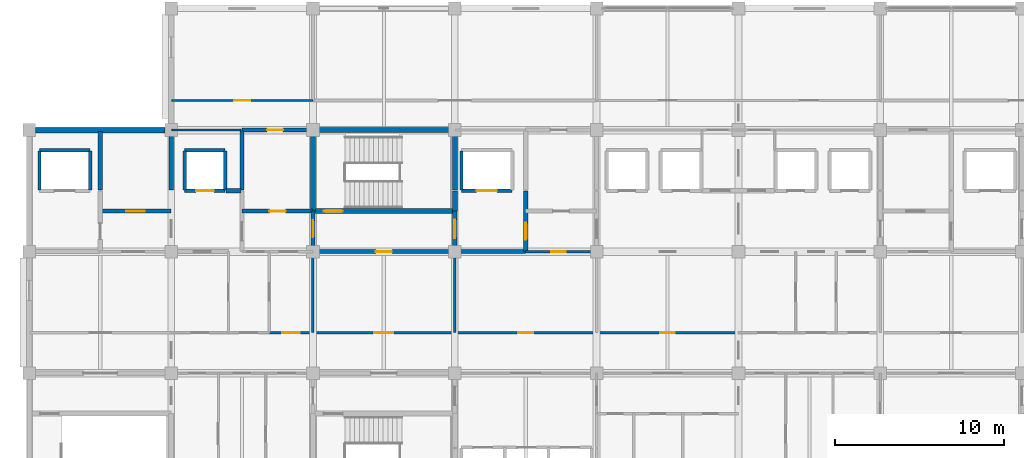
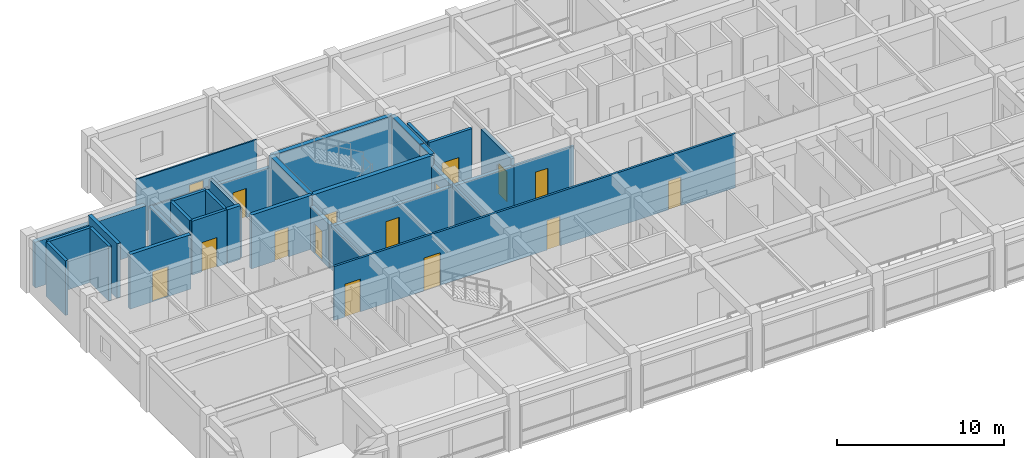
# One storey, part 13 of 23: 32 walls, 16 doors, 16 openings.
"""IFC4 building model written with IfcOpenShell, lengths in metres."""

from ifc_helpers import new_model, si_unit, direction, frame, frame_2d, origin, place, context, subcontext, project, spatial, rectangle, extrude, material, layer, layer_set, type_object, element, fill, save


model = new_model("IFC4")

# Units and contexts
model_context = context("Model", 3, precision=1e-05, world=origin(), true_north=direction((0.0, 1.0)))
body_context = subcontext(model_context, "Body", "Model", "MODEL_VIEW")
ifc_project = project(units=[si_unit("LENGTHUNIT", "METRE"), si_unit("AREAUNIT", "SQUARE_METRE"), si_unit("VOLUMEUNIT", "CUBIC_METRE"), si_unit("PLANEANGLEUNIT", "RADIAN"), si_unit("MASSUNIT", "GRAM", prefix="KILO")], contexts=[model_context])

# Site, building, storey
site_placement = place(None, origin())
site = spatial("IfcSite", under=ifc_project, at=site_placement, CompositionType="ELEMENT")
building_placement = place(site_placement, origin())
building = spatial("IfcBuilding", under=site, at=building_placement, Name="Chengyuan Square Courthouse", CompositionType="ELEMENT")
storey_placement = place(building_placement, frame((0.0, 0.0, 43.5)))
storey = spatial("IfcBuildingStorey", under=building, at=storey_placement, Name="L10", CompositionType="ELEMENT", Elevation=43.5)

# Wall
ifc_material_1 = material(Name="Concrete C40", Category="concrete")
ifc_layer_1 = layer(ifc_material_1, 0.320068359375)
ifc_layer_set_1 = layer_set([ifc_layer_1], Name="Concrete C40")
wall_type_1 = type_object("IfcWallType", Name="WL-EW3", PredefinedType="STANDARD", material=ifc_layer_set_1)
wall_1_placement = place(storey_placement, frame((42.3701171875, 108.0, 0.0), z_axis=(0.0, 0.0, 1.0), x_axis=(1.0, 0.0, 0.0)))
element("IfcWall", 1, at=wall_1_placement, inside=storey, type_object=wall_type_1, Name="Exterior Wall WL-L10-E432", PredefinedType="STANDARD", context=body_context, shape_type="SweptSolid", body=[
    extrude(rectangle(XDim=7.659912109375, YDim=0.320068359375, at=frame_2d((3.830078125, 0.0))), origin(), (0.0, 0.0, 1.0), 3.35009765625),
])

# Wall, opening, door
ifc_layer_2 = layer(ifc_material_1, 0.25)
ifc_layer_set_2 = layer_set([ifc_layer_2], Name="Concrete C40")
wall_type_2 = type_object("IfcWallType", Name="WL-FW1", PredefinedType="STANDARD", material=ifc_layer_set_2)
wall_2_placement = place(storey_placement, frame((58.800048828125, 100.800048828125, 0.0), z_axis=(0.0, 0.0, 1.0), x_axis=(1.0, 0.0, 0.0)))
wall_2 = element("IfcWall", 2, at=wall_2_placement, inside=storey, type_object=wall_type_2, Name="Interior Wall WL-L10-I3342", PredefinedType="STANDARD", context=body_context, shape_type="SweptSolid", body=[
    extrude(rectangle(XDim=12.599853515625, YDim=0.25, at=frame_2d((6.2998046875, 0.0))), origin(), (0.0, 0.0, 1.0), 3.10009765625),
])
opening_1_placement = place(wall_2_placement, frame((3.72509765625, 0.0, 0.0)))
opening_1 = element("IfcOpeningElement", 3, at=opening_1_placement, cuts=wall_2, Name="Opening DR-2779", PredefinedType="OPENING", context=body_context, shape_type="SweptSolid", body=[
    extrude(rectangle(XDim=0.949951171875, YDim=2.14990234375, at=frame_2d((0.47509765625, 1.074951171875))), frame((0.0, 0.136962890625, 0.0), z_axis=(0.0, -1.0, 0.0), x_axis=(1.0, 0.0, 0.0)), (0.0, 0.0, 1.0), 0.27392578125),
])
ifc_material_2 = material(Name="Steel Q235B Fire Door", Category="steel")
door_type_1 = type_object("IfcDoorType", Name="DT-12", OperationType="NOTDEFINED", PredefinedType="DOOR", material=ifc_material_2)
door_1_placement = place(opening_1_placement, origin())
door_1 = element("IfcDoor", 4, at=door_1_placement, inside=storey, type_object=door_type_1, Name="Interior Door DR-2779", OperationType="SINGLE_SWING_LEFT", OverallHeight=2.14990234375, OverallWidth=0.949951171875, PredefinedType="DOOR", context=body_context, shape_type="SweptSolid", body=[
    extrude(rectangle(XDim=0.949951171875, YDim=2.14990234375, at=frame_2d((0.47509765625, 1.074951171875))), frame((0.0, 0.02490234375, 0.0), z_axis=(0.0, -1.0, 0.0), x_axis=(1.0, 0.0, 0.0)), (0.0, 0.0, 1.0), 0.050048828125),
])
fill(opening_1, door_1)

wall_3_placement = place(storey_placement, frame((46.199951171875, 103.199951171875, 0.0), z_axis=(0.0, 0.0, 1.0), x_axis=(1.0, 0.0, 0.0)))
wall_3 = element("IfcWall", 5, at=wall_3_placement, inside=storey, type_object=wall_type_2, Name="Interior Wall WL-L10-I3351", PredefinedType="STANDARD", context=body_context, shape_type="SweptSolid", body=[
    extrude(rectangle(XDim=4.199951171875, YDim=0.25, at=frame_2d((2.10009765625, 0.0))), origin(), (0.0, 0.0, 1.0), 4.0),
])
opening_2_placement = place(wall_3_placement, frame((1.550048828125, 0.0, 0.0)))
opening_2 = element("IfcOpeningElement", 6, at=opening_2_placement, cuts=wall_3, Name="Opening DR-2804", PredefinedType="OPENING", context=body_context, shape_type="SweptSolid", body=[
    extrude(rectangle(XDim=1.10009765625, YDim=2.199951171875, at=frame_2d((0.550048828125, 1.10009765625))), frame((0.0, 0.136962890625, 0.0), z_axis=(0.0, -1.0, 0.0), x_axis=(1.0, 0.0, 0.0)), (0.0, 0.0, 1.0), 0.27392578125),
])
door_type_2 = type_object("IfcDoorType", Name="DT-10", OperationType="NOTDEFINED", PredefinedType="DOOR", material=ifc_material_2)
door_2_placement = place(opening_2_placement, origin())
door_2 = element("IfcDoor", 7, at=door_2_placement, inside=storey, type_object=door_type_2, Name="Interior Door DR-2804", OperationType="SINGLE_SWING_RIGHT", OverallHeight=2.199951171875, OverallWidth=1.10009765625, PredefinedType="DOOR", context=body_context, shape_type="SweptSolid", body=[
    extrude(rectangle(XDim=1.10009765625, YDim=2.199951171875, at=frame_2d((0.550048828125, 1.10009765625))), frame((0.0, 0.02490234375, 0.0), z_axis=(0.0, -1.0, 0.0), x_axis=(1.0, 0.0, 0.0)), (0.0, 0.0, 1.0), 0.050048828125),
])
fill(opening_2, door_2)

wall_4_placement = place(storey_placement, frame((54.60009765625, 103.199951171875, 0.0), z_axis=(0.0, 0.0, 1.0), x_axis=(1.0, 0.0, 0.0)))
wall_4 = element("IfcWall", 8, at=wall_4_placement, inside=storey, type_object=wall_type_2, Name="Interior Wall WL-L10-I3352", PredefinedType="STANDARD", context=body_context, shape_type="SweptSolid", body=[
    extrude(rectangle(XDim=4.199951171875, YDim=0.25, at=frame_2d((2.10009765625, 0.0))), origin(), (0.0, 0.0, 1.0), 3.949951171875),
])
opening_3_placement = place(wall_4_placement, frame((1.625, 0.0, 0.0)))
opening_3 = element("IfcOpeningElement", 9, at=opening_3_placement, cuts=wall_4, Name="Opening DR-2824", PredefinedType="OPENING", context=body_context, shape_type="SweptSolid", body=[
    extrude(rectangle(XDim=0.949951171875, YDim=2.14990234375, at=frame_2d((0.47509765625, 1.074951171875))), frame((0.0, 0.136962890625, 0.0), z_axis=(0.0, -1.0, 0.0), x_axis=(1.0, 0.0, 0.0)), (0.0, 0.0, 1.0), 0.27392578125),
])
door_3_placement = place(opening_3_placement, origin())
door_3 = element("IfcDoor", 10, at=door_3_placement, inside=storey, type_object=door_type_1, Name="Interior Door DR-2824", OperationType="SINGLE_SWING_LEFT", OverallHeight=2.14990234375, OverallWidth=0.949951171875, PredefinedType="DOOR", context=body_context, shape_type="SweptSolid", body=[
    extrude(rectangle(XDim=0.949951171875, YDim=2.14990234375, at=frame_2d((0.47509765625, 1.074951171875))), frame((0.0, 0.02490234375, 0.0), z_axis=(0.0, -1.0, 0.0), x_axis=(1.0, 0.0, 0.0)), (0.0, 0.0, 1.0), 0.050048828125),
])
fill(opening_3, door_3)

# Wall
wall_5_placement = place(storey_placement, frame((53.64990234375, 104.39990234375, 0.0), z_axis=(0.0, 0.0, 1.0), x_axis=(1.0, 0.0, 0.0)))
element("IfcWall", 11, at=wall_5_placement, inside=storey, type_object=wall_type_2, Name="Interior Wall WL-L10-I3361", PredefinedType="STANDARD", context=body_context, shape_type="SweptSolid", body=[
    extrude(rectangle(XDim=0.900146484375, YDim=0.25, at=frame_2d((0.4501953125, 0.0))), origin(), (0.0, 0.0, 1.0), 3.949951171875),
])

# Wall, opening, door
wall_6_placement = place(storey_placement, frame((54.60009765625, 108.0, 0.0), z_axis=(0.0, 0.0, 1.0), x_axis=(1.0, 0.0, 0.0)))
wall_6 = element("IfcWall", 12, at=wall_6_placement, inside=storey, type_object=wall_type_2, Name="Interior Wall WL-L10-I3383", PredefinedType="STANDARD", context=body_context, shape_type="SweptSolid", body=[
    extrude(rectangle(XDim=4.199951171875, YDim=0.25, at=frame_2d((2.10009765625, 0.0))), origin(), (0.0, 0.0, 1.0), 3.10009765625),
])
opening_4_placement = place(wall_6_placement, frame((1.4775390625, 0.0, 0.0)))
opening_4 = element("IfcOpeningElement", 13, at=opening_4_placement, cuts=wall_6, Name="Opening DR-2827", PredefinedType="OPENING", context=body_context, shape_type="SweptSolid", body=[
    extrude(rectangle(XDim=0.949951171875, YDim=2.14990234375, at=frame_2d((0.47509765625, 1.074951171875))), frame((0.0, 0.136962890625, 0.0), z_axis=(0.0, -1.0, 0.0), x_axis=(1.0, 0.0, 0.0)), (0.0, 0.0, 1.0), 0.27392578125),
])
door_4_placement = place(opening_4_placement, origin())
door_4 = element("IfcDoor", 14, at=door_4_placement, inside=storey, type_object=door_type_1, Name="Interior Door DR-2827", OperationType="SINGLE_SWING_RIGHT", OverallHeight=2.14990234375, OverallWidth=0.949951171875, PredefinedType="DOOR", context=body_context, shape_type="SweptSolid", body=[
    extrude(rectangle(XDim=0.949951171875, YDim=2.14990234375, at=frame_2d((0.47509765625, 1.074951171875))), frame((0.0, 0.02490234375, 0.0), z_axis=(0.0, -1.0, 0.0), x_axis=(1.0, 0.0, 0.0)), (0.0, 0.0, 1.0), 0.050048828125),
])
fill(opening_4, door_4)

# Walls
wall_7_placement = place(storey_placement, frame((46.199951171875, 104.449951171875, 0.0), z_axis=(0.0, 0.0, 1.0), x_axis=(0.0, 1.0, 0.0)))
element("IfcWall", 15, at=wall_7_placement, inside=storey, type_object=wall_type_2, Name="Interior Wall WL-L10-I3403", PredefinedType="STANDARD", context=body_context, shape_type="SweptSolid", body=[
    extrude(rectangle(XDim=3.4599609375, YDim=0.25, at=frame_2d((1.72998046875, 0.0))), origin(), (0.0, 0.0, 1.0), 4.0),
])
wall_8_placement = place(storey_placement, frame((50.39990234375, 104.449951171875, 0.0), z_axis=(0.0, 0.0, 1.0), x_axis=(0.0, 1.0, 0.0)))
element("IfcWall", 16, at=wall_8_placement, inside=storey, type_object=wall_type_2, Name="Interior Wall WL-L10-I3407", PredefinedType="STANDARD", context=body_context, shape_type="SweptSolid", body=[
    extrude(rectangle(XDim=3.4599609375, YDim=0.25, at=frame_2d((1.72998046875, 0.0))), origin(), (0.0, 0.0, 1.0), 3.199951171875),
])
wall_9_placement = place(storey_placement, frame((54.60009765625, 104.449951171875, 0.0), z_axis=(0.0, 0.0, 1.0), x_axis=(0.0, 1.0, 0.0)))
element("IfcWall", 17, at=wall_9_placement, inside=storey, type_object=wall_type_2, Name="Interior Wall WL-L10-I3413", PredefinedType="STANDARD", context=body_context, shape_type="SweptSolid", body=[
    extrude(rectangle(XDim=3.5, YDim=0.25, at=frame_2d((1.75, 0.0))), origin(), (0.0, 0.0, 1.0), 3.64990234375),
])

# Wall, opening, door
wall_10_placement = place(storey_placement, frame((58.800048828125, 100.800048828125, 0.0), z_axis=(0.0, 0.0, 1.0), x_axis=(0.0, 1.0, 0.0)))
wall_10 = element("IfcWall", 18, at=wall_10_placement, inside=storey, type_object=wall_type_2, Name="Interior Wall WL-L10-I3419", PredefinedType="STANDARD", context=body_context, shape_type="SweptSolid", body=[
    extrude(rectangle(XDim=2.39990234375, YDim=0.25, at=frame_2d((1.199951171875, 0.0))), origin(), (0.0, 0.0, 1.0), 3.199951171875),
])
opening_5_placement = place(wall_10_placement, frame((0.847412109375, 0.0, 0.0)))
opening_5 = element("IfcOpeningElement", 19, at=opening_5_placement, cuts=wall_10, Name="Opening DR-2778", PredefinedType="OPENING", context=body_context, shape_type="SweptSolid", body=[
    extrude(rectangle(XDim=1.0, YDim=2.199951171875, at=frame_2d((0.5, 1.10009765625))), frame((0.0, 0.136962890625, 0.0), z_axis=(0.0, -1.0, 0.0), x_axis=(1.0, 0.0, 0.0)), (0.0, 0.0, 1.0), 0.27392578125),
])
door_type_3 = type_object("IfcDoorType", Name="DT-11", OperationType="NOTDEFINED", PredefinedType="DOOR", material=ifc_material_2)
door_5_placement = place(opening_5_placement, origin())
door_5 = element("IfcDoor", 20, at=door_5_placement, inside=storey, type_object=door_type_3, Name="Interior Door DR-2778", OperationType="SINGLE_SWING_RIGHT", OverallHeight=2.199951171875, OverallWidth=1.0, PredefinedType="DOOR", context=body_context, shape_type="SweptSolid", body=[
    extrude(rectangle(XDim=1.0, YDim=2.199951171875, at=frame_2d((0.5, 1.10009765625))), frame((0.0, 0.02490234375, 0.0), z_axis=(0.0, -1.0, 0.0), x_axis=(1.0, 0.0, 0.0)), (0.0, 0.0, 1.0), 0.050048828125),
])
fill(opening_5, door_5)

wall_11_placement = place(storey_placement, frame((67.199951171875, 100.800048828125, 0.0), z_axis=(0.0, 0.0, 1.0), x_axis=(0.0, 1.0, 0.0)))
wall_11 = element("IfcWall", 21, at=wall_11_placement, inside=storey, type_object=wall_type_2, Name="Interior Wall WL-L10-I3427", PredefinedType="STANDARD", context=body_context, shape_type="SweptSolid", body=[
    extrude(rectangle(XDim=2.39990234375, YDim=0.25, at=frame_2d((1.199951171875, 0.0))), origin(), (0.0, 0.0, 1.0), 3.199951171875),
])
opening_6_placement = place(wall_11_placement, frame((0.797607421875, 0.0, 0.0)))
opening_6 = element("IfcOpeningElement", 22, at=opening_6_placement, cuts=wall_11, Name="Opening DR-2777", PredefinedType="OPENING", context=body_context, shape_type="SweptSolid", body=[
    extrude(rectangle(XDim=1.10009765625, YDim=2.199951171875, at=frame_2d((0.550048828125, 1.10009765625))), frame((0.0, 0.136962890625, 0.0), z_axis=(0.0, -1.0, 0.0), x_axis=(1.0, 0.0, 0.0)), (0.0, 0.0, 1.0), 0.27392578125),
])
door_6_placement = place(opening_6_placement, origin())
door_6 = element("IfcDoor", 23, at=door_6_placement, inside=storey, type_object=door_type_2, Name="Interior Door DR-2777", OperationType="SINGLE_SWING_LEFT", OverallHeight=2.199951171875, OverallWidth=1.10009765625, PredefinedType="DOOR", context=body_context, shape_type="SweptSolid", body=[
    extrude(rectangle(XDim=1.10009765625, YDim=2.199951171875, at=frame_2d((0.550048828125, 1.10009765625))), frame((0.0, 0.02490234375, 0.0), z_axis=(0.0, -1.0, 0.0), x_axis=(1.0, 0.0, 0.0)), (0.0, 0.0, 1.0), 0.050048828125),
])
fill(opening_6, door_6)

wall_12_placement = place(storey_placement, frame((71.39990234375, 100.800048828125, 0.0), z_axis=(0.0, 0.0, 1.0), x_axis=(0.0, 1.0, 0.0)))
wall_12 = element("IfcWall", 24, at=wall_12_placement, inside=storey, type_object=wall_type_2, Name="Interior Wall WL-L10-I3434", PredefinedType="STANDARD", context=body_context, shape_type="SweptSolid", body=[
    extrude(rectangle(XDim=3.599853515625, YDim=0.25, at=frame_2d((1.7998046875, 0.0))), origin(), (0.0, 0.0, 1.0), 3.60009765625),
])
opening_7_placement = place(wall_12_placement, frame((0.699951171875, 0.0, 0.0)))
opening_7 = element("IfcOpeningElement", 25, at=opening_7_placement, cuts=wall_12, Name="Opening DR-2793", PredefinedType="OPENING", context=body_context, shape_type="SweptSolid", body=[
    extrude(rectangle(XDim=1.0, YDim=2.199951171875, at=frame_2d((0.5, 1.10009765625))), frame((0.0, 0.136962890625, 0.0), z_axis=(0.0, -1.0, 0.0), x_axis=(1.0, 0.0, 0.0)), (0.0, 0.0, 1.0), 0.27392578125),
])
door_7_placement = place(opening_7_placement, origin())
door_7 = element("IfcDoor", 26, at=door_7_placement, inside=storey, type_object=door_type_3, Name="Interior Door DR-2793", OperationType="SINGLE_SWING_LEFT", OverallHeight=2.199951171875, OverallWidth=1.0, PredefinedType="DOOR", context=body_context, shape_type="SweptSolid", body=[
    extrude(rectangle(XDim=1.0, YDim=2.199951171875, at=frame_2d((0.5, 1.10009765625))), frame((0.0, 0.02490234375, 0.0), z_axis=(0.0, -1.0, 0.0), x_axis=(1.0, 0.0, 0.0)), (0.0, 0.0, 1.0), 0.050048828125),
])
fill(opening_7, door_7)

# Wall, openings, doors
ifc_material_3 = material(Name="Deliberation Room Sound-Insulated Partition")
ifc_layer_3 = layer(ifc_material_3, 0.14990234375)
ifc_layer_set_3 = layer_set([ifc_layer_3], Name="Deliberation Room Sound-Insulated Partition")
wall_type_3 = type_object("IfcWallType", Name="WL-PT3", PredefinedType="STANDARD", material=ifc_layer_set_3)
wall_13_placement = place(storey_placement, frame((56.199951171875, 96.0, 0.0), z_axis=(0.0, 0.0, 1.0), x_axis=(1.0, 0.0, 0.0)))
wall_13 = element("IfcWall", 27, at=wall_13_placement, inside=storey, type_object=wall_type_3, Name="Interior Wall WL-L10-I3332", PredefinedType="STANDARD", context=body_context, shape_type="SweptSolid", body=[
    extrude(rectangle(XDim=27.800048828125, YDim=0.14990234375, at=frame_2d((13.89990234375, 0.0))), origin(), (0.0, 0.0, 1.0), 3.949951171875),
])
opening_8_placement = place(wall_13_placement, frame((0.77001953125, 0.0, 0.0)))
opening_8 = element("IfcOpeningElement", 28, at=opening_8_placement, cuts=wall_13, Name="Opening DR-2844", PredefinedType="OPENING", context=body_context, shape_type="SweptSolid", body=[
    extrude(rectangle(XDim=1.06005859375, YDim=2.39990234375, at=frame_2d((0.530029296875, 1.199951171875))), frame((0.0, 0.0869140625, 0.0), z_axis=(0.0, -1.0, 0.0), x_axis=(1.0, 0.0, 0.0)), (0.0, 0.0, 1.0), 0.173828125),
])
opening_9_placement = place(wall_13_placement, frame((6.22998046875, 0.0, 0.0)))
opening_9 = element("IfcOpeningElement", 29, at=opening_9_placement, cuts=wall_13, Name="Opening DR-2845", PredefinedType="OPENING", context=body_context, shape_type="SweptSolid", body=[
    extrude(rectangle(XDim=1.139892578125, YDim=2.39990234375, at=frame_2d((0.56982421875, 1.199951171875))), frame((0.0, 0.0869140625, 0.0), z_axis=(0.0, -1.0, 0.0), x_axis=(1.0, 0.0, 0.0)), (0.0, 0.0, 1.0), 0.173828125),
])
opening_10_placement = place(wall_13_placement, frame((14.75, 0.0, 0.0)))
opening_10 = element("IfcOpeningElement", 30, at=opening_10_placement, cuts=wall_13, Name="Opening DR-2846", PredefinedType="OPENING", context=body_context, shape_type="SweptSolid", body=[
    extrude(rectangle(XDim=0.89990234375, YDim=2.14990234375, at=frame_2d((0.449951171875, 1.074951171875))), frame((0.0, 0.0869140625, 0.0), z_axis=(0.0, -1.0, 0.0), x_axis=(1.0, 0.0, 0.0)), (0.0, 0.0, 1.0), 0.173828125),
])
opening_11_placement = place(wall_13_placement, frame((23.169921875, 0.0, 0.0)))
opening_11 = element("IfcOpeningElement", 31, at=opening_11_placement, cuts=wall_13, Name="Opening DR-2847", PredefinedType="OPENING", context=body_context, shape_type="SweptSolid", body=[
    extrude(rectangle(XDim=0.860107421875, YDim=2.10009765625, at=frame_2d((0.43017578125, 1.050048828125))), frame((0.0, 0.0869140625, 0.0), z_axis=(0.0, -1.0, 0.0), x_axis=(1.0, 0.0, 0.0)), (0.0, 0.0, 1.0), 0.173828125),
])
ifc_material_4 = material(Name="Acoustic Solid-Core Timber Door", Category="wood")
door_type_4 = type_object("IfcDoorType", Name="DT-27", OperationType="NOTDEFINED", PredefinedType="DOOR", material=ifc_material_4)
door_8_placement = place(opening_10_placement, origin())
door_8 = element("IfcDoor", 32, at=door_8_placement, inside=storey, type_object=door_type_4, Name="Interior Door DR-2846", OperationType="SINGLE_SWING_RIGHT", OverallHeight=2.14990234375, OverallWidth=0.89990234375, PredefinedType="DOOR", context=body_context, shape_type="SweptSolid", body=[
    extrude(rectangle(XDim=0.89990234375, YDim=2.14990234375, at=frame_2d((0.449951171875, 1.074951171875))), frame((0.0, 0.02490234375, 0.0), z_axis=(0.0, -1.0, 0.0), x_axis=(1.0, 0.0, 0.0)), (0.0, 0.0, 1.0), 0.050048828125),
])
fill(opening_10, door_8)
door_type_5 = type_object("IfcDoorType", Name="DT-28", OperationType="NOTDEFINED", PredefinedType="DOOR", material=ifc_material_4)
door_9_placement = place(opening_11_placement, origin())
door_9 = element("IfcDoor", 33, at=door_9_placement, inside=storey, type_object=door_type_5, Name="Interior Door DR-2847", OperationType="SINGLE_SWING_LEFT", OverallHeight=2.10009765625, OverallWidth=0.860107421875, PredefinedType="DOOR", context=body_context, shape_type="SweptSolid", body=[
    extrude(rectangle(XDim=0.860107421875, YDim=2.10009765625, at=frame_2d((0.43017578125, 1.050048828125))), frame((0.0, 0.02490234375, 0.0), z_axis=(0.0, -1.0, 0.0), x_axis=(1.0, 0.0, 0.0)), (0.0, 0.0, 1.0), 0.050048828125),
])
fill(opening_11, door_9)
door_type_6 = type_object("IfcDoorType", Name="DT-42", OperationType="NOTDEFINED", PredefinedType="DOOR", material=ifc_material_4)
door_10_placement = place(opening_8_placement, origin())
door_10 = element("IfcDoor", 34, at=door_10_placement, inside=storey, type_object=door_type_6, Name="Interior Door DR-2844", OperationType="SINGLE_SWING_RIGHT", OverallHeight=2.39990234375, OverallWidth=1.06005859375, PredefinedType="DOOR", context=body_context, shape_type="SweptSolid", body=[
    extrude(rectangle(XDim=1.06005859375, YDim=2.39990234375, at=frame_2d((0.530029296875, 1.199951171875))), frame((0.0, 0.02490234375, 0.0), z_axis=(0.0, -1.0, 0.0), x_axis=(1.0, 0.0, 0.0)), (0.0, 0.0, 1.0), 0.050048828125),
])
fill(opening_8, door_10)
door_type_7 = type_object("IfcDoorType", Name="DT-43", OperationType="NOTDEFINED", PredefinedType="DOOR", material=ifc_material_4)
door_11_placement = place(opening_9_placement, origin())
door_11 = element("IfcDoor", 35, at=door_11_placement, inside=storey, type_object=door_type_7, Name="Interior Door DR-2845", OperationType="SINGLE_SWING_LEFT", OverallHeight=2.39990234375, OverallWidth=1.139892578125, PredefinedType="DOOR", context=body_context, shape_type="SweptSolid", body=[
    extrude(rectangle(XDim=1.139892578125, YDim=2.39990234375, at=frame_2d((0.56982421875, 1.199951171875))), frame((0.0, 0.02490234375, 0.0), z_axis=(0.0, -1.0, 0.0), x_axis=(1.0, 0.0, 0.0)), (0.0, 0.0, 1.0), 0.050048828125),
])
fill(opening_9, door_11)

# Wall, opening, door
wall_14_placement = place(storey_placement, frame((71.39990234375, 100.800048828125, 0.0), z_axis=(0.0, 0.0, 1.0), x_axis=(1.0, 0.0, 0.0)))
wall_14 = element("IfcWall", 36, at=wall_14_placement, inside=storey, type_object=wall_type_3, Name="Interior Wall WL-L10-I3343", PredefinedType="STANDARD", context=body_context, shape_type="SweptSolid", body=[
    extrude(rectangle(XDim=4.2001953125, YDim=0.14990234375, at=frame_2d((2.10009765625, 0.0))), origin(), (0.0, 0.0, 1.0), 3.10009765625),
])
opening_12_placement = place(wall_14_placement, frame((1.5224609375, 0.0, 0.0)))
opening_12 = element("IfcOpeningElement", 37, at=opening_12_placement, cuts=wall_14, Name="Opening DR-2796", PredefinedType="OPENING", context=body_context, shape_type="SweptSolid", body=[
    extrude(rectangle(XDim=0.860107421875, YDim=2.10009765625, at=frame_2d((0.43017578125, 1.050048828125))), frame((0.0, 0.0869140625, 0.0), z_axis=(0.0, -1.0, 0.0), x_axis=(1.0, 0.0, 0.0)), (0.0, 0.0, 1.0), 0.173828125),
])
door_12_placement = place(opening_12_placement, origin())
door_12 = element("IfcDoor", 38, at=door_12_placement, inside=storey, type_object=door_type_5, Name="Interior Door DR-2796", OperationType="SINGLE_SWING_RIGHT", OverallHeight=2.10009765625, OverallWidth=0.860107421875, PredefinedType="DOOR", context=body_context, shape_type="SweptSolid", body=[
    extrude(rectangle(XDim=0.860107421875, YDim=2.10009765625, at=frame_2d((0.43017578125, 1.050048828125))), frame((0.0, 0.02490234375, 0.0), z_axis=(0.0, -1.0, 0.0), x_axis=(1.0, 0.0, 0.0)), (0.0, 0.0, 1.0), 0.050048828125),
])
fill(opening_12, door_12)

# Walls
for number, where, z_axis, x_axis, name in (
    (39, (58.800048828125, 96.0, 0.0), (0.0, 0.0, 1.0), (0.0, 1.0, 0.0), "Interior Wall WL-L10-I3418"),
    (40, (67.199951171875, 96.0, 0.0), (0.0, 0.0, 1.0), (0.0, 1.0, 0.0), "Interior Wall WL-L10-I3426"),
):
    element("IfcWall", number, at=place(storey_placement, frame(where, z_axis=z_axis, x_axis=x_axis)), inside=storey, type_object=wall_type_3, Name=name, PredefinedType="STANDARD", context=body_context, shape_type="SweptSolid", body=[
        extrude(rectangle(XDim=4.800048828125, YDim=0.14990234375, at=frame_2d((2.39990234375, 0.0))), origin(), (0.0, 0.0, 1.0), 3.199951171875),
    ])
ifc_material_5 = material(Name="Gypsum Plasterboard Acoustic Stud Partition")
ifc_layer_4 = layer(ifc_material_5, 0.10009765625)
ifc_layer_set_4 = layer_set([ifc_layer_4], Name="Gypsum Plasterboard Acoustic Stud Partition")
wall_type_4 = type_object("IfcWallType", Name="WL-PT6", PredefinedType="STANDARD", material=ifc_layer_set_4)
wall_15_placement = place(storey_placement, frame((50.449951171875, 108.0, 0.0), z_axis=(0.0, 0.0, 1.0), x_axis=(1.0, 0.0, 0.0)))
element("IfcWall", 41, at=wall_15_placement, inside=storey, type_object=wall_type_4, Name="Interior Wall WL-L10-I3382", PredefinedType="STANDARD", context=body_context, shape_type="SweptSolid", body=[
    extrude(rectangle(XDim=4.10009765625, YDim=0.10009765625, at=frame_2d((2.050048828125, 0.0))), origin(), (0.0, 0.0, 1.0), 3.10009765625),
])

# Wall, opening, door
wall_16_placement = place(storey_placement, frame((50.43994140625, 109.75, 0.0), z_axis=(0.0, 0.0, 1.0), x_axis=(1.0, 0.0, 0.0)))
wall_16 = element("IfcWall", 42, at=wall_16_placement, inside=storey, type_object=wall_type_4, Name="Interior Wall WL-L10-I3395", PredefinedType="STANDARD", context=body_context, shape_type="SweptSolid", body=[
    extrude(rectangle(XDim=8.360107421875, YDim=0.10009765625, at=frame_2d((4.18017578125, 0.0))), origin(), (0.0, 0.0, 1.0), 4.0),
])
opening_13_placement = place(wall_16_placement, frame((3.7099609375, 0.0, 0.0)))
opening_13 = element("IfcOpeningElement", 43, at=opening_13_placement, cuts=wall_16, Name="Opening DR-2892", PredefinedType="OPENING", context=body_context, shape_type="SweptSolid", body=[
    extrude(rectangle(XDim=0.93994140625, YDim=2.300048828125, at=frame_2d((0.469970703125, 1.14990234375))), frame((0.0, 0.06201171875, 0.0), z_axis=(0.0, -1.0, 0.0), x_axis=(1.0, 0.0, 0.0)), (0.0, 0.0, 1.0), 0.1240234375),
])
door_type_8 = type_object("IfcDoorType", Name="DT-39", OperationType="NOTDEFINED", PredefinedType="DOOR", material=ifc_material_4)
door_13_placement = place(opening_13_placement, origin())
door_13 = element("IfcDoor", 44, at=door_13_placement, inside=storey, type_object=door_type_8, Name="Interior Door DR-2892", OperationType="SINGLE_SWING_LEFT", OverallHeight=2.300048828125, OverallWidth=0.93994140625, PredefinedType="DOOR", context=body_context, shape_type="SweptSolid", body=[
    extrude(rectangle(XDim=0.93994140625, YDim=2.300048828125, at=frame_2d((0.469970703125, 1.14990234375))), frame((0.0, 0.02490234375, 0.0), z_axis=(0.0, -1.0, 0.0), x_axis=(1.0, 0.0, 0.0)), (0.0, 0.0, 1.0), 0.050048828125),
])
fill(opening_13, door_13)

ifc_material_6 = material(Name="Reinforced Masonry Shaft Enclosure", Category="masonry")
ifc_layer_5 = layer(ifc_material_6, 0.199951171875)
ifc_layer_set_5 = layer_set([ifc_layer_5], Name="Reinforced Masonry Shaft Enclosure")
wall_type_5 = type_object("IfcWallType", Name="WL-SH1", PredefinedType="STANDARD", material=ifc_layer_set_5)
wall_17_placement = place(storey_placement, frame((51.199951171875, 104.39990234375, 0.0), z_axis=(0.0, 0.0, 1.0), x_axis=(1.0, 0.0, 0.0)))
wall_17 = element("IfcWall", 45, at=wall_17_placement, inside=storey, type_object=wall_type_5, Name="Interior Wall WL-L10-I3360", PredefinedType="STANDARD", context=body_context, shape_type="SweptSolid", body=[
    extrude(rectangle(XDim=2.400146484375, YDim=0.199951171875, at=frame_2d((1.2001953125, 0.0))), origin(), (0.0, 0.0, 1.0), 3.949951171875),
])
opening_14_placement = place(wall_17_placement, frame((0.675048828125, 0.0, 0.0)))
opening_14 = element("IfcOpeningElement", 46, at=opening_14_placement, cuts=wall_17, Name="Opening LD-179", PredefinedType="OPENING", context=body_context, shape_type="SweptSolid", body=[
    extrude(rectangle(XDim=1.050048828125, YDim=2.14990234375, at=frame_2d((0.52490234375, 1.074951171875))), frame((0.0, 0.112060546875, 0.0), z_axis=(0.0, -1.0, 0.0), x_axis=(1.0, 0.0, 0.0)), (0.0, 0.0, 1.0), 0.223876953125),
])
ifc_material_7 = material(Name="Stainless Steel S30408 Lift Landing Door", Category="steel")
door_type_9 = type_object("IfcDoorType", Name="DT-08", OperationType="DOUBLE_DOOR_SLIDING", PredefinedType="DOOR", material=ifc_material_7)
door_14_placement = place(opening_14_placement, origin())
door_14 = element("IfcDoor", 47, at=door_14_placement, inside=storey, type_object=door_type_9, Name="Lift Landing Door LF-C1 L10", OperationType="DOUBLE_DOOR_SLIDING", OverallHeight=2.14990234375, OverallWidth=1.050048828125, PredefinedType="DOOR", context=body_context, shape_type="SweptSolid", body=[
    extrude(rectangle(XDim=1.050048828125, YDim=2.14990234375, at=frame_2d((0.52490234375, 1.074951171875))), frame((0.0, 0.02490234375, 0.0), z_axis=(0.0, -1.0, 0.0), x_axis=(1.0, 0.0, 0.0)), (0.0, 0.0, 1.0), 0.050048828125),
])
fill(opening_14, door_14)

wall_18_placement = place(storey_placement, frame((67.60009765625, 104.39990234375, 0.0), z_axis=(0.0, 0.0, 1.0), x_axis=(1.0, 0.0, 0.0)))
wall_18 = element("IfcWall", 48, at=wall_18_placement, inside=storey, type_object=wall_type_5, Name="Interior Wall WL-L10-I3362", PredefinedType="STANDARD", context=body_context, shape_type="SweptSolid", body=[
    extrude(rectangle(XDim=3.0, YDim=0.199951171875, at=frame_2d((1.5, 0.0))), origin(), (0.0, 0.0, 1.0), 3.949951171875),
])
opening_15_placement = place(wall_18_placement, frame((0.89990234375, 0.0, 0.0)))
opening_15 = element("IfcOpeningElement", 49, at=opening_15_placement, cuts=wall_18, Name="Opening LD-165", PredefinedType="OPENING", context=body_context, shape_type="SweptSolid", body=[
    extrude(rectangle(XDim=1.199951171875, YDim=2.14990234375, at=frame_2d((0.60009765625, 1.074951171875))), frame((0.0, 0.112060546875, 0.0), z_axis=(0.0, -1.0, 0.0), x_axis=(1.0, 0.0, 0.0)), (0.0, 0.0, 1.0), 0.223876953125),
])
door_type_10 = type_object("IfcDoorType", Name="DT-05", OperationType="DOUBLE_DOOR_SLIDING", PredefinedType="DOOR", material=ifc_material_7)
door_15_placement = place(opening_15_placement, origin())
door_15 = element("IfcDoor", 50, at=door_15_placement, inside=storey, type_object=door_type_10, Name="Lift Landing Door LF-F1 L10", OperationType="DOUBLE_DOOR_SLIDING", OverallHeight=2.14990234375, OverallWidth=1.199951171875, PredefinedType="DOOR", context=body_context, shape_type="SweptSolid", body=[
    extrude(rectangle(XDim=1.199951171875, YDim=2.14990234375, at=frame_2d((0.60009765625, 1.074951171875))), frame((0.0, 0.02490234375, 0.0), z_axis=(0.0, -1.0, 0.0), x_axis=(1.0, 0.0, 0.0)), (0.0, 0.0, 1.0), 0.050048828125),
])
fill(opening_15, door_15)

# Walls
wall_19_placement = place(storey_placement, frame((42.60009765625, 106.800048828125, 0.0), z_axis=(0.0, 0.0, 1.0), x_axis=(1.0, 0.0, 0.0)))
element("IfcWall", 51, at=wall_19_placement, inside=storey, type_object=wall_type_5, Name="Interior Wall WL-L10-I3372", PredefinedType="STANDARD", context=body_context, shape_type="SweptSolid", body=[
    extrude(rectangle(XDim=3.0, YDim=0.199951171875, at=frame_2d((1.5, 0.0))), origin(), (0.0, 0.0, 1.0), 4.0),
])
wall_20_placement = place(storey_placement, frame((51.199951171875, 106.800048828125, 0.0), z_axis=(0.0, 0.0, 1.0), x_axis=(1.0, 0.0, 0.0)))
element("IfcWall", 52, at=wall_20_placement, inside=storey, type_object=wall_type_5, Name="Interior Wall WL-L10-I3373", PredefinedType="STANDARD", context=body_context, shape_type="SweptSolid", body=[
    extrude(rectangle(XDim=2.400146484375, YDim=0.199951171875, at=frame_2d((1.2001953125, 0.0))), origin(), (0.0, 0.0, 1.0), 3.949951171875),
])
for number, where, z_axis, x_axis, name in (
    (53, (42.60009765625, 104.449951171875, 0.0), (0.0, 0.0, 1.0), (0.0, 1.0, 0.0), "Interior Wall WL-L10-I3400"),
    (54, (45.60009765625, 104.449951171875, 0.0), (0.0, 0.0, 1.0), (0.0, 1.0, 0.0), "Interior Wall WL-L10-I3401"),
):
    element("IfcWall", number, at=place(storey_placement, frame(where, z_axis=z_axis, x_axis=x_axis)), inside=storey, type_object=wall_type_5, Name=name, PredefinedType="STANDARD", context=body_context, shape_type="SweptSolid", body=[
        extrude(rectangle(XDim=2.300048828125, YDim=0.199951171875, at=frame_2d((1.14990234375, 0.0))), origin(), (0.0, 0.0, 1.0), 4.0),
    ])
for number, where, z_axis, x_axis, name in (
    (55, (51.199951171875, 104.449951171875, 0.0), (0.0, 0.0, 1.0), (0.0, 1.0, 0.0), "Interior Wall WL-L10-I3408"),
    (56, (53.60009765625, 104.449951171875, 0.0), (0.0, 0.0, 1.0), (0.0, 1.0, 0.0), "Interior Wall WL-L10-I3410"),
    (57, (67.60009765625, 104.449951171875, 0.0), (0.0, 0.0, 1.0), (0.0, 1.0, 0.0), "Interior Wall WL-L10-I3431"),
):
    element("IfcWall", number, at=place(storey_placement, frame(where, z_axis=z_axis, x_axis=x_axis)), inside=storey, type_object=wall_type_5, Name=name, PredefinedType="STANDARD", context=body_context, shape_type="SweptSolid", body=[
        extrude(rectangle(XDim=2.300048828125, YDim=0.199951171875, at=frame_2d((1.14990234375, 0.0))), origin(), (0.0, 0.0, 1.0), 3.949951171875),
    ])

# Wall, opening, door
ifc_layer_6 = layer(ifc_material_1, 0.300048828125)
ifc_layer_set_6 = layer_set([ifc_layer_6], Name="Concrete C40")
wall_type_6 = type_object("IfcWallType", Name="WL-SW2", PredefinedType="SHEAR", material=ifc_layer_set_6)
wall_21_placement = place(storey_placement, frame((58.800048828125, 103.199951171875, 0.0), z_axis=(0.0, 0.0, 1.0), x_axis=(1.0, 0.0, 0.0)))
wall_21 = element("IfcWall", 58, at=wall_21_placement, inside=storey, type_object=wall_type_6, Name="Interior Wall WL-L10-I3353", PredefinedType="SHEAR", context=body_context, shape_type="SweptSolid", body=[
    extrude(rectangle(XDim=8.39990234375, YDim=0.300048828125, at=frame_2d((4.199951171875, 0.0))), origin(), (0.0, 0.0, 1.0), 3.949951171875),
])
opening_16_placement = place(wall_21_placement, frame((0.64990234375, 0.0, 0.0)))
opening_16 = element("IfcOpeningElement", 59, at=opening_16_placement, cuts=wall_21, Name="Opening DR-2771", PredefinedType="OPENING", context=body_context, shape_type="SweptSolid", body=[
    extrude(rectangle(XDim=1.10009765625, YDim=2.199951171875, at=frame_2d((0.550048828125, 1.10009765625))), frame((0.0, 0.162109375, 0.0), z_axis=(0.0, -1.0, 0.0), x_axis=(1.0, 0.0, 0.0)), (0.0, 0.0, 1.0), 0.323974609375),
])
door_16_placement = place(opening_16_placement, origin())
door_16 = element("IfcDoor", 60, at=door_16_placement, inside=storey, type_object=door_type_2, Name="Smoke-Proof Stairwell Fire Door ST-1 DR-2771", OperationType="SINGLE_SWING_LEFT", OverallHeight=2.199951171875, OverallWidth=1.10009765625, PredefinedType="DOOR", context=body_context, shape_type="SweptSolid", body=[
    extrude(rectangle(XDim=1.10009765625, YDim=2.199951171875, at=frame_2d((0.550048828125, 1.10009765625))), frame((0.0, 0.02490234375, 0.0), z_axis=(0.0, -1.0, 0.0), x_axis=(1.0, 0.0, 0.0)), (0.0, 0.0, 1.0), 0.050048828125),
])
fill(opening_16, door_16)

# Walls
wall_22_placement = place(storey_placement, frame((58.800048828125, 108.0, 0.0), z_axis=(0.0, 0.0, 1.0), x_axis=(1.0, 0.0, 0.0)))
element("IfcWall", 61, at=wall_22_placement, inside=storey, type_object=wall_type_6, Name="Interior Wall WL-L10-I3384", PredefinedType="SHEAR", context=body_context, shape_type="SweptSolid", body=[
    extrude(rectangle(XDim=8.39990234375, YDim=0.300048828125, at=frame_2d((4.199951171875, 0.0))), origin(), (0.0, 0.0, 1.0), 3.949951171875),
])
wall_23_placement = place(storey_placement, frame((58.800048828125, 103.199951171875, 0.0), z_axis=(0.0, 0.0, 1.0), x_axis=(0.0, 1.0, 0.0)))
element("IfcWall", 62, at=wall_23_placement, inside=storey, type_object=wall_type_6, Name="Interior Wall WL-L10-I3420", PredefinedType="SHEAR", context=body_context, shape_type="SweptSolid", body=[
    extrude(rectangle(XDim=4.800048828125, YDim=0.300048828125, at=frame_2d((2.39990234375, 0.0))), origin(), (0.0, 0.0, 1.0), 3.949951171875),
])
wall_24_placement = place(storey_placement, frame((67.199951171875, 103.199951171875, 0.0), z_axis=(0.0, 0.0, 1.0), x_axis=(0.0, 1.0, 0.0)))
element("IfcWall", 63, at=wall_24_placement, inside=storey, type_object=wall_type_6, Name="Interior Wall WL-L10-I3428", PredefinedType="SHEAR", context=body_context, shape_type="SweptSolid", body=[
    extrude(rectangle(XDim=1.199951171875, YDim=0.300048828125, at=frame_2d((0.60009765625, 0.0))), origin(), (0.0, 0.0, 1.0), 3.949951171875),
])
wall_25_placement = place(storey_placement, frame((67.199951171875, 104.449951171875, 0.0), z_axis=(0.0, 0.0, 1.0), x_axis=(0.0, 1.0, 0.0)))
element("IfcWall", 64, at=wall_25_placement, inside=storey, type_object=wall_type_6, Name="Interior Wall WL-L10-I3429", PredefinedType="SHEAR", context=body_context, shape_type="SweptSolid", body=[
    extrude(rectangle(XDim=3.5, YDim=0.300048828125, at=frame_2d((1.75, 0.0))), origin(), (0.0, 0.0, 1.0), 3.949951171875),
])

save(model, "model.ifc")
